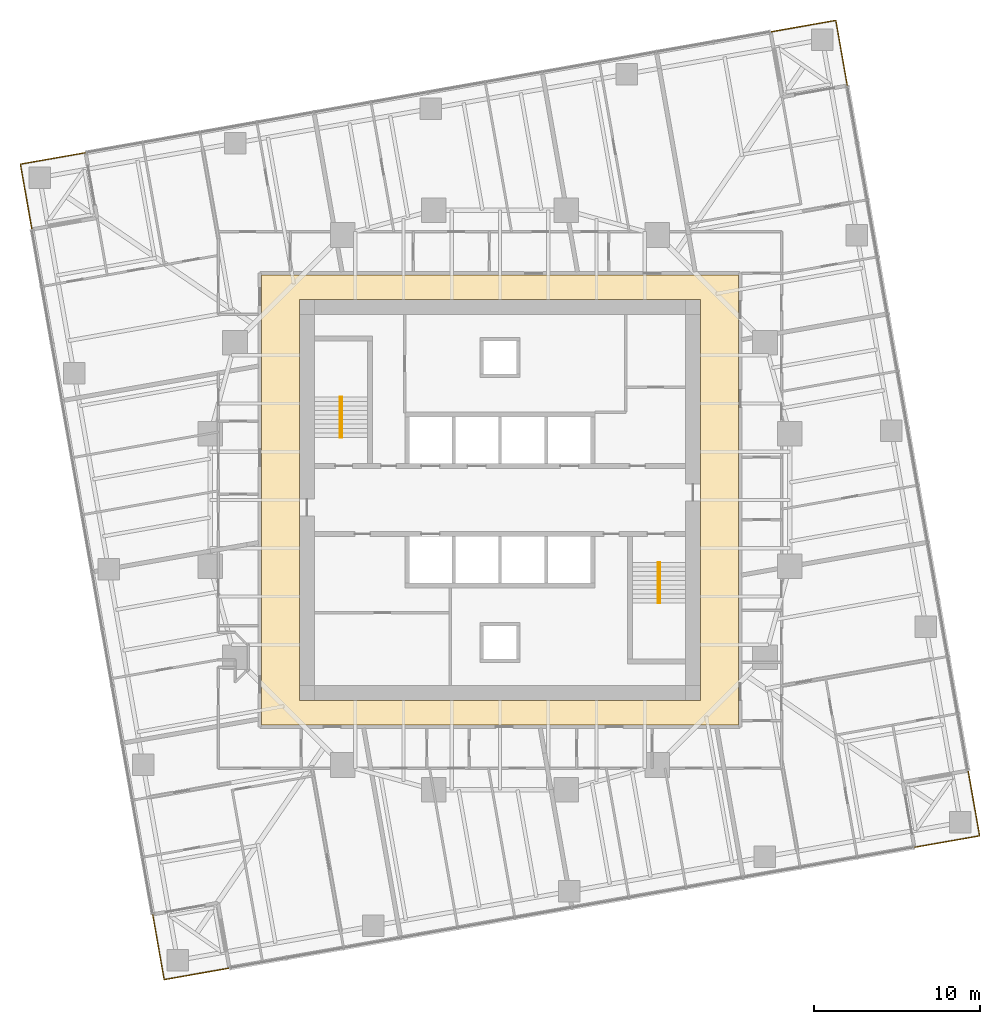
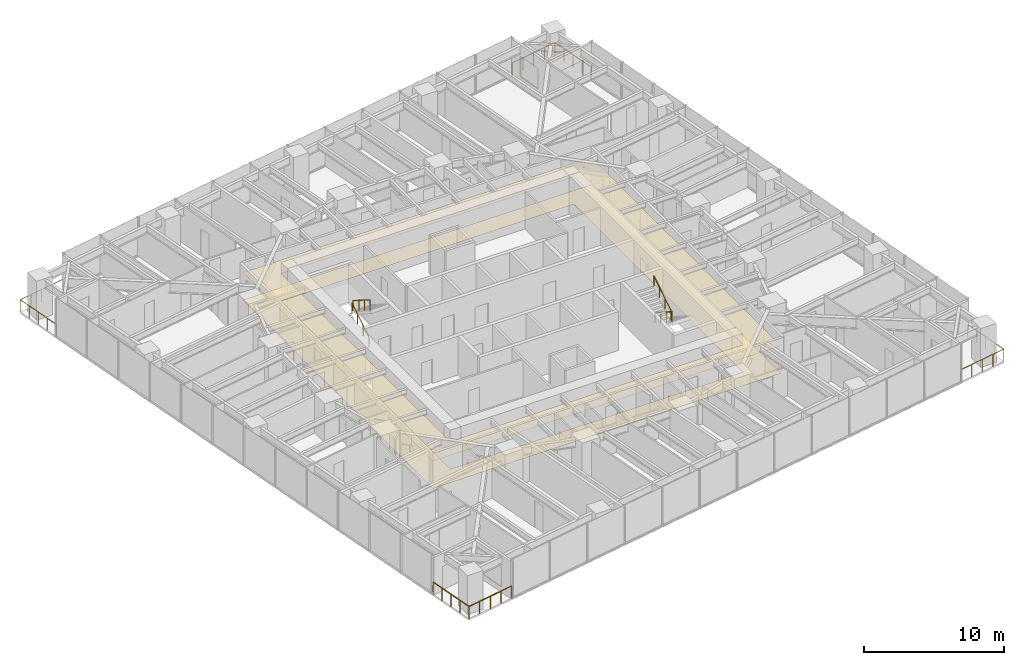
# One storey, part 14 of 14: 8 railings, 2 coverings, 2 elements without a shape of their own.
"""IFC4 building model written with IfcOpenShell, lengths in metres."""

from ifc_helpers import new_model, si_unit, direction, frame, origin, origin_2d, place, context, subcontext, project, spatial, polyline, circle, outline, extrude, material, layer, layer_set, type_object, element, aggregate, save


model = new_model("IFC4")

# Units and contexts
model_context = context("Model", 3, precision=1e-05, world=origin(), true_north=direction((0.0, 1.0)))
body_context = subcontext(model_context, "Body", "Model", "MODEL_VIEW")
ifc_project = project(units=[si_unit("LENGTHUNIT", "METRE"), si_unit("AREAUNIT", "SQUARE_METRE"), si_unit("VOLUMEUNIT", "CUBIC_METRE"), si_unit("PLANEANGLEUNIT", "RADIAN"), si_unit("MASSUNIT", "GRAM", prefix="KILO")], contexts=[model_context])

# Site, building, storey
site_placement = place(None, origin())
site = spatial("IfcSite", under=ifc_project, at=site_placement, CompositionType="ELEMENT")
building_placement = place(site_placement, origin())
building = spatial("IfcBuilding", under=site, at=building_placement, Name="Torsade Residences", CompositionType="ELEMENT")
storey_placement = place(building_placement, frame((0.0, 0.0, 89.60009765625)))
storey = spatial("IfcBuildingStorey", under=building, at=storey_placement, Name="L24", CompositionType="ELEMENT", Elevation=89.60009765625)

# Coverings
ifc_material_1 = material(Name="Nylon carpet tile on underlay", Category="textile")
ifc_layer_1 = layer(ifc_material_1, 0.010009765625)
ifc_layer_set_1 = layer_set([ifc_layer_1], Name="Nylon carpet tile on underlay")
covering_type_1 = type_object("IfcCoveringType", Name="CORRIDOR CARPET TILE 10", PredefinedType="FLOORING", material=ifc_layer_set_1)
covering_1_placement = place(storey_placement, origin())
element("IfcCovering", 1, at=covering_1_placement, inside=storey, type_object=covering_type_1, Name="Corridor carpet L24", PredefinedType="FLOORING", context=body_context, shape_type="SweptSolid", body=[
    extrude(outline(polyline([(54.39990234375, 16.39990234375), (54.39990234375, 43.60009765625), (25.60009765625, 43.60009765625), (25.60009765625, 16.39990234375), (54.39990234375, 16.39990234375)]), holes=[polyline([(52.10009765625, 42.10009765625), (27.89990234375, 42.10009765625), (27.89990234375, 17.89990234375), (52.10009765625, 17.89990234375), (52.10009765625, 42.10009765625)])]), origin(), (0.0, 0.0, 1.0), 0.010009765625),
])
ifc_material_2 = material(Name="Plasterboard on suspended steel grid", Category="steel")
ifc_layer_2 = layer(ifc_material_2, 0.012939453125)
ifc_layer_set_2 = layer_set([ifc_layer_2], Name="Plasterboard on suspended steel grid")
covering_type_2 = type_object("IfcCoveringType", Name="CORRIDOR SUSPENDED CEILING 13", PredefinedType="CEILING", material=ifc_layer_set_2)
covering_2_placement = place(storey_placement, frame((0.0, 0.0, 2.39990234375)))
element("IfcCovering", 2, at=covering_2_placement, inside=storey, type_object=covering_type_2, Name="Corridor ceiling L24", PredefinedType="CEILING", context=body_context, shape_type="SweptSolid", body=[
    extrude(outline(polyline([(54.39990234375, 16.39990234375), (54.39990234375, 43.60009765625), (25.60009765625, 43.60009765625), (25.60009765625, 16.39990234375), (54.39990234375, 16.39990234375)]), holes=[polyline([(52.10009765625, 42.10009765625), (27.89990234375, 42.10009765625), (27.89990234375, 17.89990234375), (52.10009765625, 17.89990234375), (52.10009765625, 42.10009765625)])]), origin(), (0.0, 0.0, 1.0), 0.012939453125),
])

# Stair, railings
ifc_material_3 = material(Name="Precast concrete 40 MPa", Category="concrete")
stair_type = type_object("IfcStairType", Name="HALF-TURN FIRE STAIR 1500x3400", PredefinedType="HALF_TURN_STAIR", material=ifc_material_3)
stair_1_placement = place(storey_placement, origin())
stair_1 = element("IfcStair", 3, at=stair_1_placement, inside=storey, type_object=stair_type, Name="Stair ST1 L24", PredefinedType="HALF_TURN_STAIR")
ifc_material_4 = material(Name="Steel handrail", Category="steel")
railing_type_1 = type_object("IfcRailingType", Name="STAIR HANDRAIL 900", PredefinedType="HANDRAIL", material=ifc_material_4)
railing_1_placement = place(storey_placement, frame((30.35009765625, 33.780029296875, 0.169921875)))
railing_1 = element("IfcRailing", 4, at=railing_1_placement, type_object=railing_type_1, Name="Handrail ST1 flight 1 L24", PredefinedType="HANDRAIL", context=body_context, shape_type="SweptSolid", body=[
    extrude(circle(Radius=0.02392578125, at=origin_2d()), frame((0.0, 0.0, 0.8759765625), z_axis=(0.0, 0.846221481393, 0.532831309544), x_axis=(-1.0, 0.0, 0.0)), (0.0, 0.0, 1.0), 2.87158203125),
    extrude(circle(Radius=0.02099609375, at=origin_2d()), origin(), (0.0, 0.0, 1.0), 0.851806640625),
    extrude(circle(Radius=0.02099609375, at=origin_2d()), frame((0.0, 0.81005859375, 0.510009765625)), (0.0, 0.0, 1.0), 0.851806640625),
    extrude(circle(Radius=0.02099609375, at=origin_2d()), frame((0.0, 1.619873046875, 1.02001953125)), (0.0, 0.0, 1.0), 0.851806640625),
    extrude(circle(Radius=0.02099609375, at=origin_2d()), frame((0.0, 2.429931640625, 1.530029296875)), (0.0, 0.0, 1.0), 0.851806640625),
])
railing_2_placement = place(storey_placement, frame((30.449951171875, 36.2099609375, 1.869873046875)))
railing_2 = element("IfcRailing", 5, at=railing_2_placement, type_object=railing_type_1, Name="Handrail ST1 flight 2 L24", PredefinedType="HANDRAIL", context=body_context, shape_type="SweptSolid", body=[
    extrude(circle(Radius=0.02392578125, at=origin_2d()), frame((0.0, 0.0, 0.8759765625), z_axis=(0.0, -0.846221481393, 0.532831309544), x_axis=(1.0, 0.0, 0.0)), (0.0, 0.0, 1.0), 2.87158203125),
    extrude(circle(Radius=0.02099609375, at=origin_2d()), origin(), (0.0, 0.0, 1.0), 0.851806640625),
    extrude(circle(Radius=0.02099609375, at=origin_2d()), frame((0.0, -0.81005859375, 0.510009765625)), (0.0, 0.0, 1.0), 0.851806640625),
    extrude(circle(Radius=0.02099609375, at=origin_2d()), frame((0.0, -1.619873046875, 1.02001953125)), (0.0, 0.0, 1.0), 0.851806640625),
    extrude(circle(Radius=0.02099609375, at=origin_2d()), frame((0.0, -2.429931640625, 1.530029296875)), (0.0, 0.0, 1.0), 0.851806640625),
])
aggregate(stair_1, [railing_1, railing_2])

stair_2_placement = place(storey_placement, origin())
stair_2 = element("IfcStair", 6, at=stair_2_placement, inside=storey, type_object=stair_type, Name="Stair ST2 L24", PredefinedType="HALF_TURN_STAIR")
railing_3_placement = place(storey_placement, frame((49.64990234375, 26.219970703125, 0.169921875)))
railing_3 = element("IfcRailing", 7, at=railing_3_placement, type_object=railing_type_1, Name="Handrail ST2 flight 1 L24", PredefinedType="HANDRAIL", context=body_context, shape_type="SweptSolid", body=[
    extrude(circle(Radius=0.02392578125, at=origin_2d()), frame((0.0, 0.0, 0.8759765625), z_axis=(0.0, -0.846221481393, 0.532831309544), x_axis=(1.0, 0.0, 0.0)), (0.0, 0.0, 1.0), 2.87158203125),
    extrude(circle(Radius=0.02099609375, at=origin_2d()), origin(), (0.0, 0.0, 1.0), 0.851806640625),
    extrude(circle(Radius=0.02099609375, at=origin_2d()), frame((0.0, -0.81005859375, 0.510009765625)), (0.0, 0.0, 1.0), 0.851806640625),
    extrude(circle(Radius=0.02099609375, at=origin_2d()), frame((0.0, -1.619873046875, 1.02001953125)), (0.0, 0.0, 1.0), 0.851806640625),
    extrude(circle(Radius=0.02099609375, at=origin_2d()), frame((0.0, -2.429931640625, 1.530029296875)), (0.0, 0.0, 1.0), 0.851806640625),
])
railing_4_placement = place(storey_placement, frame((49.550048828125, 23.7900390625, 1.869873046875)))
railing_4 = element("IfcRailing", 8, at=railing_4_placement, type_object=railing_type_1, Name="Handrail ST2 flight 2 L24", PredefinedType="HANDRAIL", context=body_context, shape_type="SweptSolid", body=[
    extrude(circle(Radius=0.02392578125, at=origin_2d()), frame((0.0, 0.0, 0.8759765625), z_axis=(0.0, 0.846221481393, 0.532831309544), x_axis=(-1.0, 0.0, 0.0)), (0.0, 0.0, 1.0), 2.87158203125),
    extrude(circle(Radius=0.02099609375, at=origin_2d()), origin(), (0.0, 0.0, 1.0), 0.851806640625),
    extrude(circle(Radius=0.02099609375, at=origin_2d()), frame((0.0, 0.81005859375, 0.510009765625)), (0.0, 0.0, 1.0), 0.851806640625),
    extrude(circle(Radius=0.02099609375, at=origin_2d()), frame((0.0, 1.619873046875, 1.02001953125)), (0.0, 0.0, 1.0), 0.851806640625),
    extrude(circle(Radius=0.02099609375, at=origin_2d()), frame((0.0, 2.429931640625, 1.530029296875)), (0.0, 0.0, 1.0), 0.851806640625),
])
aggregate(stair_2, [railing_3, railing_4])

# Railings
ifc_material_5 = material(Name="Laminated glass balustrade", Category="glass")
railing_type_2 = type_object("IfcRailingType", Name="TERRACE GLASS BALUSTRADE 1100", PredefinedType="BALUSTRADE", material=ifc_material_5)
railing_5_placement = place(storey_placement, frame((65.022216796875, 9.0263671875, 0.0)))
element("IfcRailing", 9, at=railing_5_placement, inside=storey, type_object=railing_type_2, Name="Terrace balustrade SE L24", PredefinedType="BALUSTRADE", context=body_context, shape_type="SweptSolid", body=[
    extrude(circle(Radius=0.02392578125, at=origin_2d()), frame((0.0, 0.0, 1.076171875), z_axis=(0.984808127031, 0.173646056486, 0.0), x_axis=(-0.173646056486, 0.984808127031, 0.0)), (0.0, 0.0, 1.0), 4.0),
    extrude(circle(Radius=0.02392578125, at=origin_2d()), frame((3.939208984375, 0.694580078125, 1.076171875), z_axis=(-0.173646056486, 0.984808127031, 0.0), x_axis=(-0.984808127031, -0.173646056486, 0.0)), (0.0, 0.0, 1.0), 4.0),
    extrude(circle(Radius=0.02099609375, at=origin_2d()), origin(), (0.0, 0.0, 1.0), 1.052001953125),
    extrude(circle(Radius=0.02099609375, at=origin_2d()), frame((0.98486328125, 0.173583984375, 0.0)), (0.0, 0.0, 1.0), 1.052001953125),
    extrude(circle(Radius=0.02099609375, at=origin_2d()), frame((1.9697265625, 0.34716796875, 0.0)), (0.0, 0.0, 1.0), 1.052001953125),
    extrude(circle(Radius=0.02099609375, at=origin_2d()), frame((2.954345703125, 0.52099609375, 0.0)), (0.0, 0.0, 1.0), 1.052001953125),
    extrude(circle(Radius=0.02099609375, at=origin_2d()), frame((3.939208984375, 0.694580078125, 0.0)), (0.0, 0.0, 1.0), 1.052001953125),
    extrude(circle(Radius=0.02099609375, at=origin_2d()), frame((3.765625, 1.679443359375, 0.0)), (0.0, 0.0, 1.0), 1.052001953125),
    extrude(circle(Radius=0.02099609375, at=origin_2d()), frame((3.591796875, 2.6640625, 0.0)), (0.0, 0.0, 1.0), 1.052001953125),
    extrude(circle(Radius=0.02099609375, at=origin_2d()), frame((3.418212890625, 3.64892578125, 0.0)), (0.0, 0.0, 1.0), 1.052001953125),
    extrude(circle(Radius=0.02099609375, at=origin_2d()), frame((3.24462890625, 4.6337890625, 0.0)), (0.0, 0.0, 1.0), 1.052001953125),
])
railing_6_placement = place(storey_placement, frame((60.9736328125, 55.022216796875, 0.0)))
element("IfcRailing", 10, at=railing_6_placement, inside=storey, type_object=railing_type_2, Name="Terrace balustrade NE L24", PredefinedType="BALUSTRADE", context=body_context, shape_type="SweptSolid", body=[
    extrude(circle(Radius=0.02392578125, at=origin_2d()), frame((0.0, 0.0, 1.076171875), z_axis=(-0.173646056486, 0.984808127031, 0.0), x_axis=(-0.984808127031, -0.173646056486, 0.0)), (0.0, 0.0, 1.0), 4.0),
    extrude(circle(Radius=0.02392578125, at=origin_2d()), frame((-0.694580078125, 3.939208984375, 1.076171875), z_axis=(-0.984808127031, -0.173646056486, 0.0), x_axis=(0.173646056486, -0.984808127031, 0.0)), (0.0, 0.0, 1.0), 4.0),
    extrude(circle(Radius=0.02099609375, at=origin_2d()), origin(), (0.0, 0.0, 1.0), 1.052001953125),
    extrude(circle(Radius=0.02099609375, at=origin_2d()), frame((-0.173583984375, 0.98486328125, 0.0)), (0.0, 0.0, 1.0), 1.052001953125),
    extrude(circle(Radius=0.02099609375, at=origin_2d()), frame((-0.34716796875, 1.9697265625, 0.0)), (0.0, 0.0, 1.0), 1.052001953125),
    extrude(circle(Radius=0.02099609375, at=origin_2d()), frame((-0.52099609375, 2.954345703125, 0.0)), (0.0, 0.0, 1.0), 1.052001953125),
    extrude(circle(Radius=0.02099609375, at=origin_2d()), frame((-0.694580078125, 3.939208984375, 0.0)), (0.0, 0.0, 1.0), 1.052001953125),
    extrude(circle(Radius=0.02099609375, at=origin_2d()), frame((-1.679443359375, 3.765625, 0.0)), (0.0, 0.0, 1.0), 1.052001953125),
    extrude(circle(Radius=0.02099609375, at=origin_2d()), frame((-2.6640625, 3.591796875, 0.0)), (0.0, 0.0, 1.0), 1.052001953125),
    extrude(circle(Radius=0.02099609375, at=origin_2d()), frame((-3.64892578125, 3.418212890625, 0.0)), (0.0, 0.0, 1.0), 1.052001953125),
    extrude(circle(Radius=0.02099609375, at=origin_2d()), frame((-4.6337890625, 3.24462890625, 0.0)), (0.0, 0.0, 1.0), 1.052001953125),
])
railing_7_placement = place(storey_placement, frame((14.977783203125, 50.9736328125, 0.0)))
element("IfcRailing", 11, at=railing_7_placement, inside=storey, type_object=railing_type_2, Name="Terrace balustrade NW L24", PredefinedType="BALUSTRADE", context=body_context, shape_type="SweptSolid", body=[
    extrude(circle(Radius=0.02392578125, at=origin_2d()), frame((0.0, 0.0, 1.076171875), z_axis=(-0.984808127031, -0.173646056486, 0.0), x_axis=(0.173646056486, -0.984808127031, 0.0)), (0.0, 0.0, 1.0), 4.0),
    extrude(circle(Radius=0.02392578125, at=origin_2d()), frame((-3.939208984375, -0.694580078125, 1.076171875), z_axis=(0.173646056486, -0.984808127031, 0.0), x_axis=(0.984808127031, 0.173646056486, 0.0)), (0.0, 0.0, 1.0), 4.0),
    extrude(circle(Radius=0.02099609375, at=origin_2d()), origin(), (0.0, 0.0, 1.0), 1.052001953125),
    extrude(circle(Radius=0.02099609375, at=origin_2d()), frame((-0.98486328125, -0.173583984375, 0.0)), (0.0, 0.0, 1.0), 1.052001953125),
    extrude(circle(Radius=0.02099609375, at=origin_2d()), frame((-1.9697265625, -0.34716796875, 0.0)), (0.0, 0.0, 1.0), 1.052001953125),
    extrude(circle(Radius=0.02099609375, at=origin_2d()), frame((-2.954345703125, -0.52099609375, 0.0)), (0.0, 0.0, 1.0), 1.052001953125),
    extrude(circle(Radius=0.02099609375, at=origin_2d()), frame((-3.939208984375, -0.694580078125, 0.0)), (0.0, 0.0, 1.0), 1.052001953125),
    extrude(circle(Radius=0.02099609375, at=origin_2d()), frame((-3.765625, -1.679443359375, 0.0)), (0.0, 0.0, 1.0), 1.052001953125),
    extrude(circle(Radius=0.02099609375, at=origin_2d()), frame((-3.591796875, -2.6640625, 0.0)), (0.0, 0.0, 1.0), 1.052001953125),
    extrude(circle(Radius=0.02099609375, at=origin_2d()), frame((-3.418212890625, -3.64892578125, 0.0)), (0.0, 0.0, 1.0), 1.052001953125),
    extrude(circle(Radius=0.02099609375, at=origin_2d()), frame((-3.24462890625, -4.6337890625, 0.0)), (0.0, 0.0, 1.0), 1.052001953125),
])
railing_8_placement = place(storey_placement, frame((19.0263671875, 4.977783203125, 0.0)))
element("IfcRailing", 12, at=railing_8_placement, inside=storey, type_object=railing_type_2, Name="Terrace balustrade SW L24", PredefinedType="BALUSTRADE", context=body_context, shape_type="SweptSolid", body=[
    extrude(circle(Radius=0.02392578125, at=origin_2d()), frame((0.0, 0.0, 1.076171875), z_axis=(0.173646056486, -0.984808127031, 0.0), x_axis=(0.984808127031, 0.173646056486, 0.0)), (0.0, 0.0, 1.0), 4.0),
    extrude(circle(Radius=0.02392578125, at=origin_2d()), frame((0.694580078125, -3.939208984375, 1.076171875), z_axis=(0.984808127031, 0.173646056486, 0.0), x_axis=(-0.173646056486, 0.984808127031, 0.0)), (0.0, 0.0, 1.0), 4.0),
    extrude(circle(Radius=0.02099609375, at=origin_2d()), origin(), (0.0, 0.0, 1.0), 1.052001953125),
    extrude(circle(Radius=0.02099609375, at=origin_2d()), frame((0.173583984375, -0.98486328125, 0.0)), (0.0, 0.0, 1.0), 1.052001953125),
    extrude(circle(Radius=0.02099609375, at=origin_2d()), frame((0.34716796875, -1.9697265625, 0.0)), (0.0, 0.0, 1.0), 1.052001953125),
    extrude(circle(Radius=0.02099609375, at=origin_2d()), frame((0.52099609375, -2.954345703125, 0.0)), (0.0, 0.0, 1.0), 1.052001953125),
    extrude(circle(Radius=0.02099609375, at=origin_2d()), frame((0.694580078125, -3.939208984375, 0.0)), (0.0, 0.0, 1.0), 1.052001953125),
    extrude(circle(Radius=0.02099609375, at=origin_2d()), frame((1.679443359375, -3.765625, 0.0)), (0.0, 0.0, 1.0), 1.052001953125),
    extrude(circle(Radius=0.02099609375, at=origin_2d()), frame((2.6640625, -3.591796875, 0.0)), (0.0, 0.0, 1.0), 1.052001953125),
    extrude(circle(Radius=0.02099609375, at=origin_2d()), frame((3.64892578125, -3.418212890625, 0.0)), (0.0, 0.0, 1.0), 1.052001953125),
    extrude(circle(Radius=0.02099609375, at=origin_2d()), frame((4.6337890625, -3.24462890625, 0.0)), (0.0, 0.0, 1.0), 1.052001953125),
])

save(model, "model.ifc")
